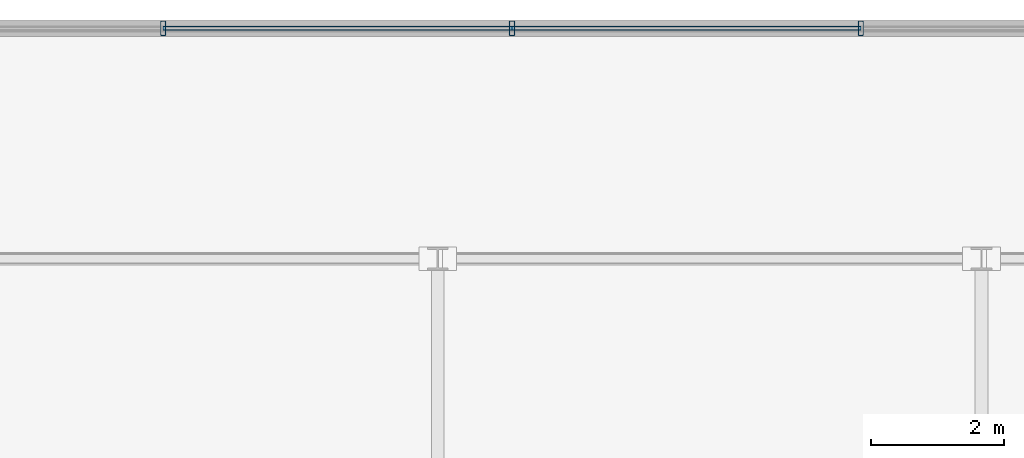
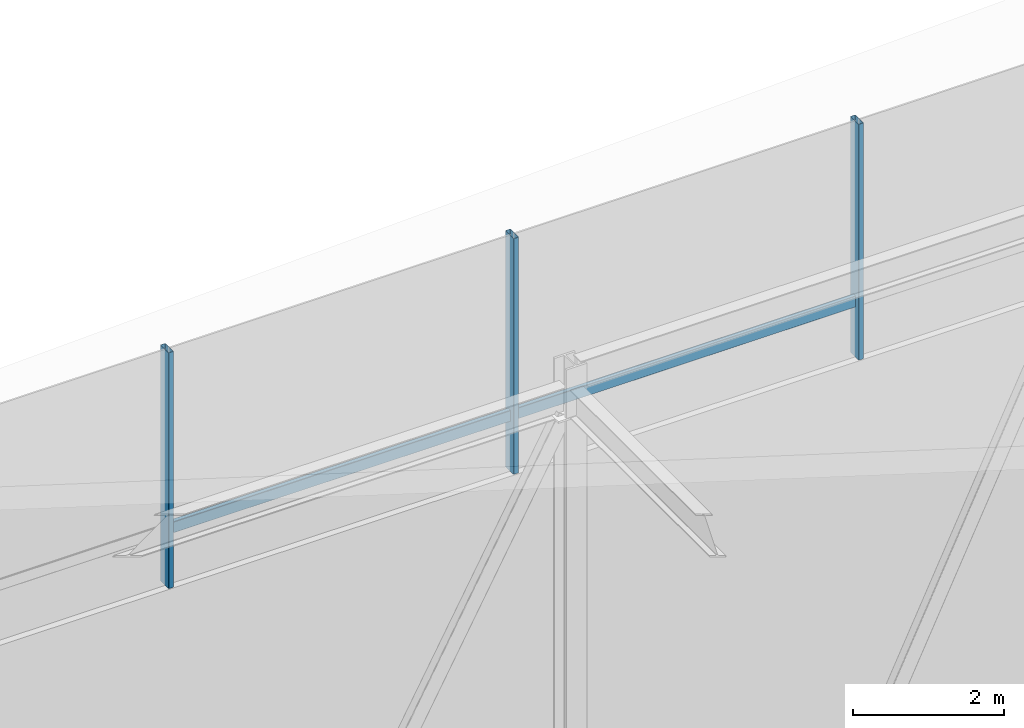
# One storey, part 24 of 39: 5 members, 1 element without a shape of its own.
"""IFC4 building model written with IfcOpenShell, lengths in metres."""

from ifc_helpers import new_model, si_unit, direction, frame, origin, origin_2d, place, context, subcontext, project, spatial, hollow_rectangle, extrude, material, layer, layer_set, material_profile, profile_set, type_object, element, aggregate, save


model = new_model("IFC4")

# Units and contexts
model_context = context("Model", 3, precision=1e-05, world=origin(), true_north=direction((0.0, 1.0)))
body_context = subcontext(model_context, "Body", "Model", "MODEL_VIEW")
ifc_project = project(units=[si_unit("LENGTHUNIT", "METRE"), si_unit("AREAUNIT", "SQUARE_METRE"), si_unit("VOLUMEUNIT", "CUBIC_METRE"), si_unit("PLANEANGLEUNIT", "RADIAN"), si_unit("MASSUNIT", "GRAM", prefix="KILO")], contexts=[model_context])

# Site, building, storey
site_placement = place(None, origin())
site = spatial("IfcSite", under=ifc_project, at=site_placement, CompositionType="ELEMENT")
building_placement = place(site_placement, origin())
building = spatial("IfcBuilding", under=site, at=building_placement, Name="Korimba Cascade Residences", CompositionType="ELEMENT")
storey_placement = place(building_placement, frame((0.0, 0.0, 264.199951171875)))
storey = spatial("IfcBuildingStorey", under=building, at=storey_placement, Name="RF", CompositionType="ELEMENT", Elevation=264.199951171875)

# Curtain wall, members
ifc_material_1 = material(Name="Anodised Aluminium Curtain Wall Framing", Category="aluminium")
ifc_layer = layer(ifc_material_1, 0.179931640625)
ifc_layer_set = layer_set([ifc_layer], Name="Anodised Aluminium Curtain Wall Framing")
curtain_wall_type = type_object("IfcCurtainWallType", Name="CW-CRNW-SYS5", PredefinedType="NOTDEFINED", material=ifc_layer_set)
curtain_wall_placement = place(storey_placement, origin())
curtain_wall = element("IfcCurtainWall", 1, at=curtain_wall_placement, inside=storey, type_object=curtain_wall_type, Name="RF Curtain Wall CW-RF-CRN-E-2", PredefinedType="NOTDEFINED")
ifc_material_2 = material(Name="Anodised Aluminium Mullion", Category="aluminium")
ifc_material_profile_1 = material_profile(ifc_material_2, hollow_rectangle(XDim=0.080078125, YDim=0.219970703125, WallThickness=0.00634765625, InnerFilletRadius=0.00634765625, OuterFilletRadius=0.0126953125, at=origin_2d()), Name="Anodised Aluminium Mullion")
ifc_profile_set_1 = profile_set([ifc_material_profile_1], Name="Anodised Aluminium Mullion")
member_type_1 = type_object("IfcMemberType", Name="CWM-MUL-220", PredefinedType="MULLION", material=ifc_profile_set_1)
member_1_placement = place(storey_placement, frame((107.9599609375, 94.675048828125, 12.949951171875), z_axis=(0.0, 0.0, 1.0), x_axis=(1.0, 0.0, 0.0)))
member_1 = element("IfcMember", 2, at=member_1_placement, type_object=member_type_1, Name="CW-RF-CRN-E-2 Mullion 2", PredefinedType="MULLION", context=body_context, shape_type="SweptSolid", body=[
    extrude(hollow_rectangle(XDim=0.080078125, YDim=0.219970703125, WallThickness=0.00634765625, InnerFilletRadius=0.00634765625, OuterFilletRadius=0.0126953125, at=origin_2d()), origin(), (0.0, 0.0, 1.0), 3.800048828125),
])
member_2_placement = place(storey_placement, frame((113.219970703125, 94.675048828125, 12.949951171875), z_axis=(0.0, 0.0, 1.0), x_axis=(1.0, 0.0, 0.0)))
member_2 = element("IfcMember", 3, at=member_2_placement, type_object=member_type_1, Name="CW-RF-CRN-E-2 Mullion 3", PredefinedType="MULLION", context=body_context, shape_type="SweptSolid", body=[
    extrude(hollow_rectangle(XDim=0.080078125, YDim=0.219970703125, WallThickness=0.00634765625, InnerFilletRadius=0.00634765625, OuterFilletRadius=0.0126953125, at=origin_2d()), origin(), (0.0, 0.0, 1.0), 3.800048828125),
])
member_3_placement = place(storey_placement, frame((118.47998046875, 94.675048828125, 12.949951171875), z_axis=(0.0, 0.0, 1.0), x_axis=(1.0, 0.0, 0.0)))
member_3 = element("IfcMember", 4, at=member_3_placement, type_object=member_type_1, Name="CW-RF-CRN-E-2 Mullion 4", PredefinedType="MULLION", context=body_context, shape_type="SweptSolid", body=[
    extrude(hollow_rectangle(XDim=0.080078125, YDim=0.219970703125, WallThickness=0.00634765625, InnerFilletRadius=0.00634765625, OuterFilletRadius=0.0126953125, at=origin_2d()), origin(), (0.0, 0.0, 1.0), 3.800048828125),
])
ifc_material_3 = material(Name="Anodised Aluminium Transom", Category="aluminium")
ifc_material_profile_2 = material_profile(ifc_material_3, hollow_rectangle(XDim=0.070068359375, YDim=0.179931640625, WallThickness=0.0048828125, InnerFilletRadius=0.0048828125, OuterFilletRadius=0.010009765625, at=origin_2d()), Name="Anodised Aluminium Transom")
ifc_profile_set_2 = profile_set([ifc_material_profile_2], Name="Anodised Aluminium Transom")
member_type_2 = type_object("IfcMemberType", Name="CWM-TRN-150", PredefinedType="USERDEFINED", material=ifc_profile_set_2)
member_4_placement = place(storey_placement, frame((107.9599609375, 94.675048828125, 13.85009765625), z_axis=(1.0, 0.0, 0.0), x_axis=(0.0, 1.0, 0.0)))
member_4 = element("IfcMember", 5, at=member_4_placement, type_object=member_type_2, Name="CW-RF-CRN-E-2 Transom 2", ObjectType="TRANSOM", PredefinedType="USERDEFINED", context=body_context, shape_type="SweptSolid", body=[
    extrude(hollow_rectangle(XDim=0.070068359375, YDim=0.179931640625, WallThickness=0.0048828125, InnerFilletRadius=0.0048828125, OuterFilletRadius=0.010009765625, at=origin_2d()), origin(), (0.0, 0.0, 1.0), 5.260009765625),
])
member_5_placement = place(storey_placement, frame((113.219970703125, 94.675048828125, 13.85009765625), z_axis=(1.0, 0.0, 0.0), x_axis=(0.0, 1.0, 0.0)))
member_5 = element("IfcMember", 6, at=member_5_placement, type_object=member_type_2, Name="CW-RF-CRN-E-2 Transom 3", ObjectType="TRANSOM", PredefinedType="USERDEFINED", context=body_context, shape_type="SweptSolid", body=[
    extrude(hollow_rectangle(XDim=0.070068359375, YDim=0.179931640625, WallThickness=0.0048828125, InnerFilletRadius=0.0048828125, OuterFilletRadius=0.010009765625, at=origin_2d()), origin(), (0.0, 0.0, 1.0), 5.260009765625),
])
aggregate(curtain_wall, [member_1, member_2, member_3, member_4, member_5])

save(model, "model.ifc")
